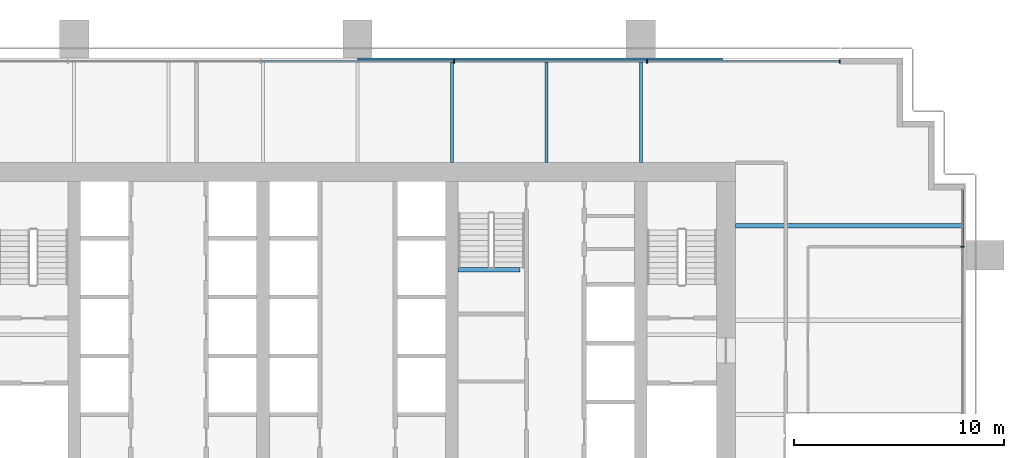
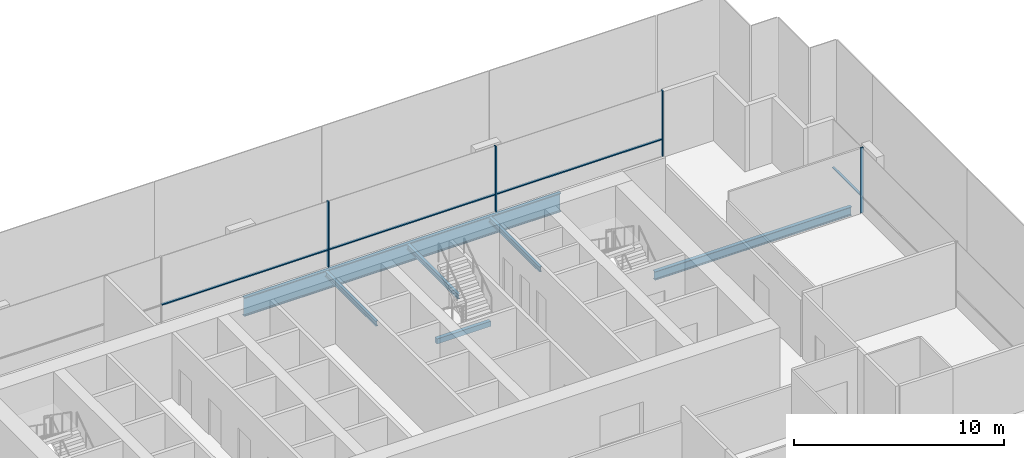
# One storey, part 8 of 16: 8 members, 6 beams, 2 elements without a shape of their own.
"""IFC4 building model written with IfcOpenShell, lengths in metres."""

from ifc_helpers import new_model, si_unit, direction, frame, origin, origin_2d, place, context, subcontext, project, spatial, rectangle, i_section, extrude, material, material_profile, profile_set, type_object, element, aggregate, save


model = new_model("IFC4")

# Units and contexts
model_context = context("Model", 3, precision=1e-05, world=origin(), true_north=direction((0.0, 1.0)))
body_context = subcontext(model_context, "Body", "Model", "MODEL_VIEW")
ifc_project = project(units=[si_unit("LENGTHUNIT", "METRE"), si_unit("AREAUNIT", "SQUARE_METRE"), si_unit("VOLUMEUNIT", "CUBIC_METRE"), si_unit("PLANEANGLEUNIT", "RADIAN"), si_unit("MASSUNIT", "GRAM", prefix="KILO")], contexts=[model_context])

# Site, building, storey
site_placement = place(None, origin())
site = spatial("IfcSite", under=ifc_project, at=site_placement, CompositionType="ELEMENT")
building_placement = place(site_placement, origin())
building = spatial("IfcBuilding", under=site, at=building_placement, Name="Rattan Terrace Tower", CompositionType="ELEMENT")
storey_placement = place(building_placement, frame((0.0, 0.0, 150.10009765625)))
storey = spatial("IfcBuildingStorey", under=building, at=storey_placement, Name="L34", CompositionType="ELEMENT", Elevation=150.10009765625)

# Beam
ifc_material_1 = material(Name="Concrete C40/50", Category="concrete")
ifc_material_profile_1 = material_profile(ifc_material_1, rectangle(XDim=0.199951171875, YDim=0.300048828125, at=origin_2d()), Name="RC 200x300")
ifc_profile_set_1 = profile_set([ifc_material_profile_1], Name="Concrete C40/50")
beam_type_1 = type_object("IfcBeamType", Name="Core landing beam RC 200x300", PredefinedType="BEAM", material=ifc_profile_set_1)
beam_1_placement = place(storey_placement, frame((4.800048828125, 2.39990234375, 1.64990234375), z_axis=(1.0, 0.0, 0.0), x_axis=(0.0, 1.0, 0.0)))
element("IfcBeam", 1, at=beam_1_placement, inside=storey, type_object=beam_type_1, Name="st-S3-L34 landing 1 edge beam", PredefinedType="BEAM", context=body_context, shape_type="SweptSolid", body=[
    extrude(rectangle(XDim=0.199951171875, YDim=0.300048828125, at=origin_2d()), origin(), (0.0, 0.0, 1.0), 2.949951171875),
])

# Curtain wall, member
ifc_material_2 = material(Name="Aluminium and glass", Category="aluminium")
curtain_wall_type = type_object("IfcCurtainWallType", Name="Facade Unitised Curtain Wall", PredefinedType="NOTDEFINED", material=ifc_material_2)
curtain_wall_1_placement = place(storey_placement, origin())
curtain_wall_1 = element("IfcCurtainWall", 2, at=curtain_wall_1_placement, inside=storey, type_object=curtain_wall_type, Name="Curtain wall L34-1", PredefinedType="NOTDEFINED")
ifc_material_3 = material(Name="Aluminium", Category="aluminium")
ifc_material_profile_2 = material_profile(ifc_material_3, rectangle(XDim=0.06005859375, YDim=0.159912109375, at=origin_2d()), Name="Aluminium 60x160")
ifc_profile_set_2 = profile_set([ifc_material_profile_2], Name="Aluminium")
member_type_1 = type_object("IfcMemberType", Name="Facade CW Mullion 60x160", PredefinedType="MULLION", material=ifc_profile_set_2)
member_1_placement = place(storey_placement, frame((28.830078125, 3.5, 0.0), z_axis=(0.0, 0.0, 1.0), x_axis=(0.0, 1.0, 0.0)))
member_1 = element("IfcMember", 3, at=member_1_placement, type_object=member_type_1, Name="Mullion cwl-L34-001.4", PredefinedType="MULLION", context=body_context, shape_type="SweptSolid", body=[
    extrude(rectangle(XDim=0.06005859375, YDim=0.159912109375, at=origin_2d()), origin(), (0.0, 0.0, 1.0), 3.7998046875),
])

# Curtain wall, members
curtain_wall_2_placement = place(storey_placement, origin())
curtain_wall_2 = element("IfcCurtainWall", 4, at=curtain_wall_2_placement, inside=storey, type_object=curtain_wall_type, Name="Curtain wall L34-2", PredefinedType="NOTDEFINED")
member_2_placement = place(storey_placement, frame((22.969970703125, 12.330078125, 0.0), z_axis=(0.0, 0.0, 1.0), x_axis=(-1.0, 0.0, 0.0)))
member_2 = element("IfcMember", 5, at=member_2_placement, type_object=member_type_1, Name="Mullion cwl-L34-002.1", PredefinedType="MULLION", context=body_context, shape_type="SweptSolid", body=[
    extrude(rectangle(XDim=0.06005859375, YDim=0.159912109375, at=origin_2d()), origin(), (0.0, 0.0, 1.0), 3.7998046875),
])
member_3_placement = place(storey_placement, frame((13.799072265625, 12.330078125, 0.0), z_axis=(0.0, 0.0, 1.0), x_axis=(-1.0, 0.0, 0.0)))
member_3 = element("IfcMember", 6, at=member_3_placement, type_object=member_type_1, Name="Mullion cwl-L34-002.2", PredefinedType="MULLION", context=body_context, shape_type="SweptSolid", body=[
    extrude(rectangle(XDim=0.06005859375, YDim=0.159912109375, at=origin_2d()), origin(), (0.0, 0.0, 1.0), 3.7998046875),
])
member_4_placement = place(storey_placement, frame((4.597900390625, 12.330078125, 0.0), z_axis=(0.0, 0.0, 1.0), x_axis=(-1.0, 0.0, 0.0)))
member_4 = element("IfcMember", 7, at=member_4_placement, type_object=member_type_1, Name="Mullion cwl-L34-002.3", PredefinedType="MULLION", context=body_context, shape_type="SweptSolid", body=[
    extrude(rectangle(XDim=0.06005859375, YDim=0.159912109375, at=origin_2d()), origin(), (0.0, 0.0, 1.0), 3.7998046875),
])

# Member
ifc_material_4 = material(Name="Aluminium", Category="aluminium")
ifc_material_profile_3 = material_profile(ifc_material_4, rectangle(XDim=0.1201171875, YDim=0.06005859375, at=origin_2d()), Name="Aluminium 120x60")
ifc_profile_set_3 = profile_set([ifc_material_profile_3], Name="Aluminium")
member_type_2 = type_object("IfcMemberType", Name="Facade CW Transom 120x60", PredefinedType="USERDEFINED", material=ifc_profile_set_3)
member_5_placement = place(storey_placement, frame((28.830078125, 3.530029296875, 1.0), z_axis=(0.0, 1.0, 0.0), x_axis=(-1.0, 0.0, 0.0)))
member_5 = element("IfcMember", 8, at=member_5_placement, type_object=member_type_2, Name="Transom cwl-L34-001.4", ObjectType="TRANSOM", PredefinedType="USERDEFINED", context=body_context, shape_type="SweptSolid", body=[
    extrude(rectangle(XDim=0.1201171875, YDim=0.06005859375, at=origin_2d()), origin(), (0.0, 0.0, 1.0), 2.675048828125),
])

aggregate(curtain_wall_1, [member_1, member_5])

member_6_placement = place(storey_placement, frame((22.93994140625, 12.330078125, 1.0), z_axis=(-1.0, 0.0, 0.0), x_axis=(0.0, -1.0, 0.0)))
member_6 = element("IfcMember", 9, at=member_6_placement, type_object=member_type_2, Name="Transom cwl-L34-002.1", ObjectType="TRANSOM", PredefinedType="USERDEFINED", context=body_context, shape_type="SweptSolid", body=[
    extrude(rectangle(XDim=0.1201171875, YDim=0.06005859375, at=origin_2d()), origin(), (0.0, 0.0, 1.0), 9.11083984375),
])

member_7_placement = place(storey_placement, frame((13.76904296875, 12.330078125, 1.0), z_axis=(-1.0, 0.0, 0.0), x_axis=(0.0, -1.0, 0.0)))
member_7 = element("IfcMember", 10, at=member_7_placement, type_object=member_type_2, Name="Transom cwl-L34-002.2", ObjectType="TRANSOM", PredefinedType="USERDEFINED", context=body_context, shape_type="SweptSolid", body=[
    extrude(rectangle(XDim=0.1201171875, YDim=0.06005859375, at=origin_2d()), origin(), (0.0, 0.0, 1.0), 9.14111328125),
])

member_8_placement = place(storey_placement, frame((4.568115234375, 12.330078125, 1.0), z_axis=(-1.0, 0.0, 0.0), x_axis=(0.0, -1.0, 0.0)))
member_8 = element("IfcMember", 11, at=member_8_placement, type_object=member_type_2, Name="Transom cwl-L34-002.3", ObjectType="TRANSOM", PredefinedType="USERDEFINED", context=body_context, shape_type="SweptSolid", body=[
    extrude(rectangle(XDim=0.1201171875, YDim=0.06005859375, at=origin_2d()), origin(), (0.0, 0.0, 1.0), 9.14111328125),
])

aggregate(curtain_wall_2, [member_2, member_3, member_4, member_6, member_7, member_8])

# Beams
ifc_material_5 = material(Name="Steel S460", Category="steel")
ifc_material_profile_4 = material_profile(ifc_material_5, i_section(OverallWidth=0.179931640625, OverallDepth=1.10009765625, WebThickness=0.01611328125, FlangeThickness=0.050048828125, at=origin_2d()), Name="PG 1100x180-16-50")
ifc_profile_set_4 = profile_set([ifc_material_profile_4], Name="Steel S460")
beam_type_2 = type_object("IfcBeamType", Name="Frame edge girder PG 1100x180-16-50", PredefinedType="SPANDREL", material=ifc_profile_set_4)
beam_2_placement = place(storey_placement, frame((17.39990234375, 12.409912109375, -0.75), z_axis=(-1.0, 0.0, 0.0), x_axis=(0.0, -1.0, 0.0)))
element("IfcBeam", 12, at=beam_2_placement, inside=storey, type_object=beam_type_2, Name="gdr-L34-006", PredefinedType="SPANDREL", context=body_context, shape_type="SweptSolid", body=[
    extrude(i_section(OverallWidth=0.179931640625, OverallDepth=1.10009765625, WebThickness=0.01611328125, FlangeThickness=0.050048828125, at=origin_2d()), origin(), (0.0, 0.0, 1.0), 17.39990234375),
])
ifc_material_6 = material(Name="Steel S355", Category="steel")
ifc_material_profile_5 = material_profile(ifc_material_6, i_section(OverallWidth=0.14990234375, OverallDepth=0.300048828125, WebThickness=0.007080078125, FlangeThickness=0.0107421875, FilletRadius=0.014892578125, at=origin_2d()), Name="IPE 300")
ifc_profile_set_5 = profile_set([ifc_material_profile_5], Name="Steel S355")
beam_type_3 = type_object("IfcBeamType", Name="Frame floor beam IPE 300", PredefinedType="JOIST", material=ifc_profile_set_5)
for number, where, z_axis, x_axis, name in (
    (13, (4.5, 7.5, -0.35009765625), (0.0, 1.0, 0.0), (-1.0, 0.0, 0.0), "bm-L34-020"),
    (14, (9.0, 7.5, -0.35009765625), (0.0, 1.0, 0.0), (-1.0, 0.0, 0.0), "bm-L34-021"),
    (15, (13.5, 7.5, -0.35009765625), (0.0, 1.0, 0.0), (-1.0, 0.0, 0.0), "bm-L34-022"),
):
    element("IfcBeam", number, at=place(storey_placement, frame(where, z_axis=z_axis, x_axis=x_axis)), inside=storey, type_object=beam_type_3, Name=name, PredefinedType="JOIST", context=body_context, shape_type="SweptSolid", body=[
        extrude(i_section(OverallWidth=0.14990234375, OverallDepth=0.300048828125, WebThickness=0.007080078125, FlangeThickness=0.0107421875, FilletRadius=0.014892578125, at=origin_2d()), origin(), (0.0, 0.0, 1.0), 4.820068359375),
    ])
ifc_material_7 = material(Name="Steel S355", Category="steel")
ifc_material_profile_6 = material_profile(ifc_material_7, i_section(OverallWidth=0.199951171875, OverallDepth=0.5, WebThickness=0.01025390625, FlangeThickness=0.01611328125, FilletRadius=0.02099609375, at=origin_2d()), Name="IPE 500")
ifc_profile_set_6 = profile_set([ifc_material_profile_6], Name="Steel S355")
beam_type_4 = type_object("IfcBeamType", Name="Frame floor beam IPE 500", PredefinedType="JOIST", material=ifc_profile_set_6)
beam_3_placement = place(storey_placement, frame((18.0, 4.5, -0.4501953125), z_axis=(1.0, 0.0, 0.0), x_axis=(0.0, 1.0, 0.0)))
element("IfcBeam", 16, at=beam_3_placement, inside=storey, type_object=beam_type_4, Name="bm-L34-015", PredefinedType="JOIST", context=body_context, shape_type="SweptSolid", body=[
    extrude(i_section(OverallWidth=0.199951171875, OverallDepth=0.5, WebThickness=0.01025390625, FlangeThickness=0.01611328125, FilletRadius=0.02099609375, at=origin_2d()), origin(), (0.0, 0.0, 1.0), 10.820068359375),
])

save(model, "model.ifc")
